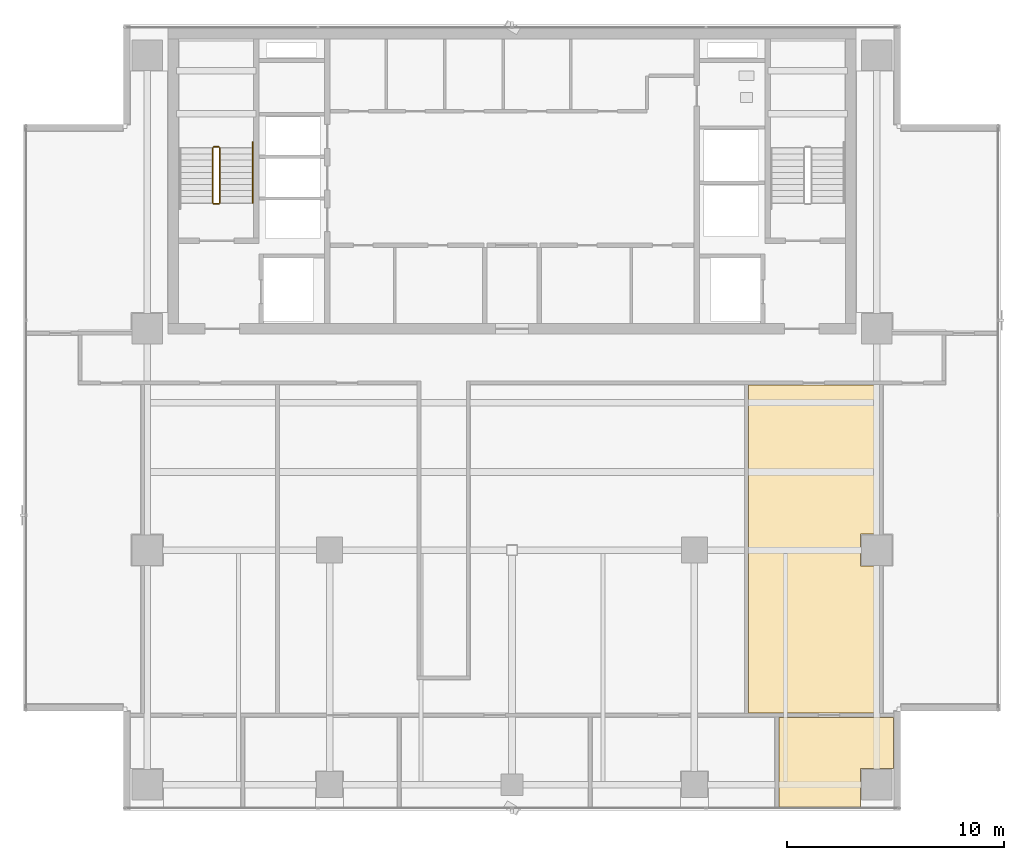
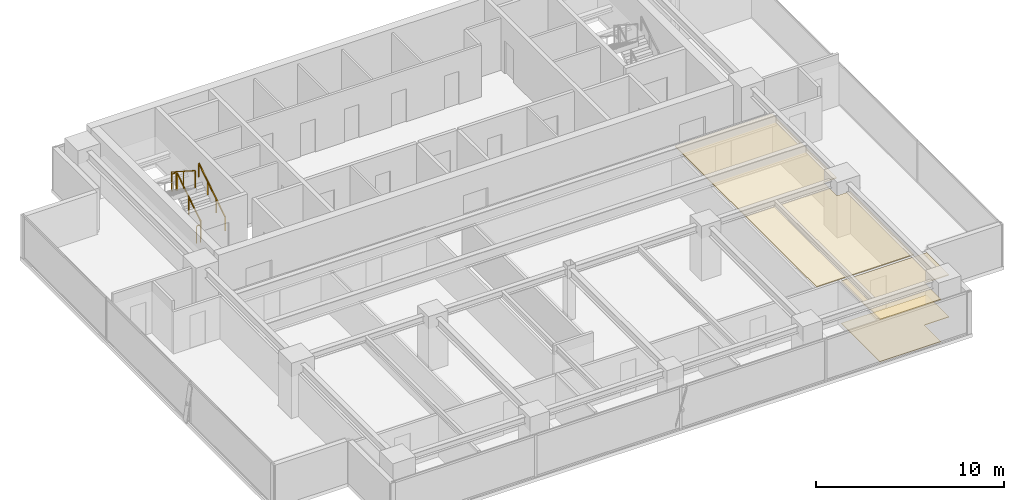
# One storey, part 24 of 26: 5 railings, 3 coverings.
"""IFC4 building model written with IfcOpenShell, lengths in metres."""

from ifc_helpers import new_model, si_unit, direction, frame, origin, origin_2d, place, context, subcontext, project, spatial, polyline, rectangle, outline, extrude, material, layer, layer_set, type_object, element, save


model = new_model("IFC4")

# Units and contexts
model_context = context("Model", 3, precision=1e-05, world=origin(), true_north=direction((0.0, 1.0)))
body_context = subcontext(model_context, "Body", "Model", "MODEL_VIEW")
ifc_project = project(units=[si_unit("LENGTHUNIT", "METRE"), si_unit("AREAUNIT", "SQUARE_METRE"), si_unit("VOLUMEUNIT", "CUBIC_METRE"), si_unit("PLANEANGLEUNIT", "RADIAN"), si_unit("MASSUNIT", "GRAM", prefix="KILO")], contexts=[model_context])

# Site, building, storey
site_placement = place(None, origin())
site = spatial("IfcSite", under=ifc_project, at=site_placement, CompositionType="ELEMENT")
building_placement = place(site_placement, origin())
building = spatial("IfcBuilding", under=site, at=building_placement, Name="Sumidabori Civic Tower", CompositionType="ELEMENT")
storey_placement = place(building_placement, frame((0.0, 0.0, 254.0)))
storey = spatial("IfcBuildingStorey", under=building, at=storey_placement, Name="L66", CompositionType="ELEMENT", Elevation=254.0)

# Coverings
ifc_material_1 = material(Name="Gypsum Coffered Acoustic Ceiling")
ifc_layer_1 = layer(ifc_material_1, 0.06494140625, Name="Gypsum Coffered Acoustic Ceiling")
ifc_layer_set_1 = layer_set([ifc_layer_1], Name="Gypsum Coffered Acoustic Ceiling")
covering_type_1 = type_object("IfcCoveringType", Name="CV-CEIL-AC4", PredefinedType="CEILING", material=ifc_layer_set_1)
covering_1_placement = place(storey_placement, frame((0.0, 0.0, 2.719970703125)))
element("IfcCovering", 1, at=covering_1_placement, inside=storey, type_object=covering_type_1, Name="Room Acoustic Ceiling L66-06", PredefinedType="CEILING", context=body_context, shape_type="SweptSolid", body=[
    extrude(outline(polyline([(10.902587890625, 7.614990234375), (16.8974609375, 7.614990234375), (16.8974609375, 0.739990234375), (16.06005859375, 0.739990234375), (16.06005859375, -0.739990234375), (16.8974609375, -0.739990234375), (16.8974609375, -7.49755859375), (10.902587890625, -7.49755859375), (10.902587890625, 7.614990234375)])), origin(), (0.0, 0.0, 1.0), 0.06494140625),
])
covering_2_placement = place(storey_placement, frame((0.0, 0.0, 2.719970703125)))
element("IfcCovering", 2, at=covering_2_placement, inside=storey, type_object=covering_type_1, Name="Room Acoustic Ceiling L66-09", PredefinedType="CEILING", context=body_context, shape_type="SweptSolid", body=[
    extrude(outline(polyline([(17.572021484375, -10.06005859375), (16.06005859375, -10.06005859375), (16.06005859375, -11.830078125), (12.302490234375, -11.830078125), (12.302490234375, -7.702392578125), (17.572021484375, -7.702392578125), (17.572021484375, -10.06005859375)])), origin(), (0.0, 0.0, 1.0), 0.06494140625),
])
ifc_material_2 = material(Name="Honed Terrazzo Tile Flooring")
ifc_layer_2 = layer(ifc_material_2, 0.030029296875, Name="Honed Terrazzo Tile Flooring")
ifc_layer_set_2 = layer_set([ifc_layer_2], Name="Honed Terrazzo Tile Flooring")
covering_type_2 = type_object("IfcCoveringType", Name="CV-FLR-TER", PredefinedType="FLOORING", material=ifc_layer_set_2)
covering_3_placement = place(storey_placement, origin())
element("IfcCovering", 3, at=covering_3_placement, inside=storey, type_object=covering_type_2, Name="Room Terrazzo Floor L66-09", PredefinedType="FLOORING", context=body_context, shape_type="SweptSolid", body=[
    extrude(outline(polyline([(17.572021484375, -10.06005859375), (16.06005859375, -10.06005859375), (16.06005859375, -11.830078125), (12.302490234375, -11.830078125), (12.302490234375, -7.702392578125), (17.572021484375, -7.702392578125), (17.572021484375, -10.06005859375)])), origin(), (0.0, 0.0, 1.0), 0.030029296875),
])

# Railings
ifc_material_3 = material(Name="Stainless Steel Hairline Finish", Category="steel")
railing_type_1 = type_object("IfcRailingType", Name="RL-HANDRAIL", PredefinedType="HANDRAIL", material=ifc_material_3)
railing_1_placement = place(storey_placement, frame((-11.949951171875, 16.0, 0.179931640625)))
element("IfcRailing", 4, at=railing_1_placement, inside=storey, type_object=railing_type_1, Name="L66 ST-1 stair handrail 1", PredefinedType="HANDRAIL", context=body_context, shape_type="SweptSolid", body=[
    extrude(rectangle(XDim=0.048095703125, YDim=0.048095703125, at=origin_2d()), frame((0.0, 0.0, 0.8759765625), z_axis=(0.0, 0.84064222762, 0.54159084662), x_axis=(-1.0, 0.0, 0.0)), (0.0, 0.0, 1.0), 3.330810546875),
    extrude(rectangle(XDim=0.0419921875, YDim=0.0419921875, at=origin_2d()), origin(), (0.0, 0.0, 1.0), 0.851806640625),
    extrude(rectangle(XDim=0.0419921875, YDim=0.0419921875, at=origin_2d()), frame((0.0, 0.933349609375, 0.601318359375)), (0.0, 0.0, 1.0), 0.851806640625),
    extrude(rectangle(XDim=0.0419921875, YDim=0.0419921875, at=origin_2d()), frame((0.0, 1.86669921875, 1.20263671875)), (0.0, 0.0, 1.0), 0.851806640625),
    extrude(rectangle(XDim=0.0419921875, YDim=0.0419921875, at=origin_2d()), frame((0.0, 2.800048828125, 1.803955078125)), (0.0, 0.0, 1.0), 0.851806640625),
])
ifc_material_4 = material(Name="Steel SN490", Category="steel")
railing_type_2 = type_object("IfcRailingType", Name="RL-STAIR-GUARD", PredefinedType="GUARDRAIL", material=ifc_material_4)
railing_2_placement = place(storey_placement, frame((-13.449951171875, 16.0, 0.179931640625)))
element("IfcRailing", 5, at=railing_2_placement, inside=storey, type_object=railing_type_2, Name="L66 ST-1 stair guard 1", PredefinedType="GUARDRAIL", context=body_context, shape_type="SweptSolid", body=[
    extrude(rectangle(XDim=0.048095703125, YDim=0.048095703125, at=origin_2d()), frame((0.0, 0.0, 1.1259765625), z_axis=(0.0, 0.841162588446, 0.540782303519), x_axis=(-1.0, 0.0, 0.0)), (0.0, 0.0, 1.0), 2.995849609375),
    extrude(rectangle(XDim=0.0419921875, YDim=0.0419921875, at=origin_2d()), origin(), (0.0, 0.0, 1.0), 1.101806640625),
    extrude(rectangle(XDim=0.0419921875, YDim=0.0419921875, at=origin_2d()), frame((0.0, 1.260009765625, 0.81005859375)), (0.0, 0.0, 1.0), 1.101806640625),
    extrude(rectangle(XDim=0.0419921875, YDim=0.0419921875, at=origin_2d()), frame((0.0, 2.52001953125, 1.6201171875)), (0.0, 0.0, 1.0), 1.101806640625),
])
railing_3_placement = place(storey_placement, frame((-13.5, 18.570068359375, 1.800048828125)))
element("IfcRailing", 6, at=railing_3_placement, inside=storey, type_object=railing_type_2, Name="L66 ST-1 stair guard 2", PredefinedType="GUARDRAIL", context=body_context, shape_type="SweptSolid", body=[
    extrude(rectangle(XDim=0.048095703125, YDim=0.048095703125, at=origin_2d()), frame((0.0, 0.0, 1.1259765625), z_axis=(-1.0, 0.0, 0.0), x_axis=(0.0, -1.0, 0.0)), (0.0, 0.0, 1.0), 0.239990234375),
    extrude(rectangle(XDim=0.0419921875, YDim=0.0419921875, at=origin_2d()), origin(), (0.0, 0.0, 1.0), 1.101806640625),
    extrude(rectangle(XDim=0.0419921875, YDim=0.0419921875, at=origin_2d()), frame((-0.239990234375, 0.0, 0.0)), (0.0, 0.0, 1.0), 1.101806640625),
])
railing_4_placement = place(storey_placement, frame((-13.7900390625, 18.52001953125, 1.97998046875)))
element("IfcRailing", 7, at=railing_4_placement, inside=storey, type_object=railing_type_2, Name="L66 ST-1 stair guard 3", PredefinedType="GUARDRAIL", context=body_context, shape_type="SweptSolid", body=[
    extrude(rectangle(XDim=0.048095703125, YDim=0.048095703125, at=origin_2d()), frame((0.0, 0.0, 1.1259765625), z_axis=(0.0, -0.841162588446, 0.540782303519), x_axis=(1.0, 0.0, 0.0)), (0.0, 0.0, 1.0), 2.995849609375),
    extrude(rectangle(XDim=0.0419921875, YDim=0.0419921875, at=origin_2d()), origin(), (0.0, 0.0, 1.0), 1.101806640625),
    extrude(rectangle(XDim=0.0419921875, YDim=0.0419921875, at=origin_2d()), frame((0.0, -1.260009765625, 0.81005859375)), (0.0, 0.0, 1.0), 1.101806640625),
    extrude(rectangle(XDim=0.0419921875, YDim=0.0419921875, at=origin_2d()), frame((0.0, -2.52001953125, 1.6201171875)), (0.0, 0.0, 1.0), 1.101806640625),
])
railing_5_placement = place(storey_placement, frame((-13.5, 15.949951171875, 0.0)))
element("IfcRailing", 8, at=railing_5_placement, inside=storey, type_object=railing_type_2, Name="L66 ST-1 stair guard 4", PredefinedType="GUARDRAIL", context=body_context, shape_type="SweptSolid", body=[
    extrude(rectangle(XDim=0.048095703125, YDim=0.048095703125, at=origin_2d()), frame((0.0, 0.0, 1.1259765625), z_axis=(-1.0, 0.0, 0.0), x_axis=(0.0, -1.0, 0.0)), (0.0, 0.0, 1.0), 0.239990234375),
    extrude(rectangle(XDim=0.0419921875, YDim=0.0419921875, at=origin_2d()), origin(), (0.0, 0.0, 1.0), 1.101806640625),
    extrude(rectangle(XDim=0.0419921875, YDim=0.0419921875, at=origin_2d()), frame((-0.239990234375, 0.0, 0.0)), (0.0, 0.0, 1.0), 1.101806640625),
])

save(model, "model.ifc")
